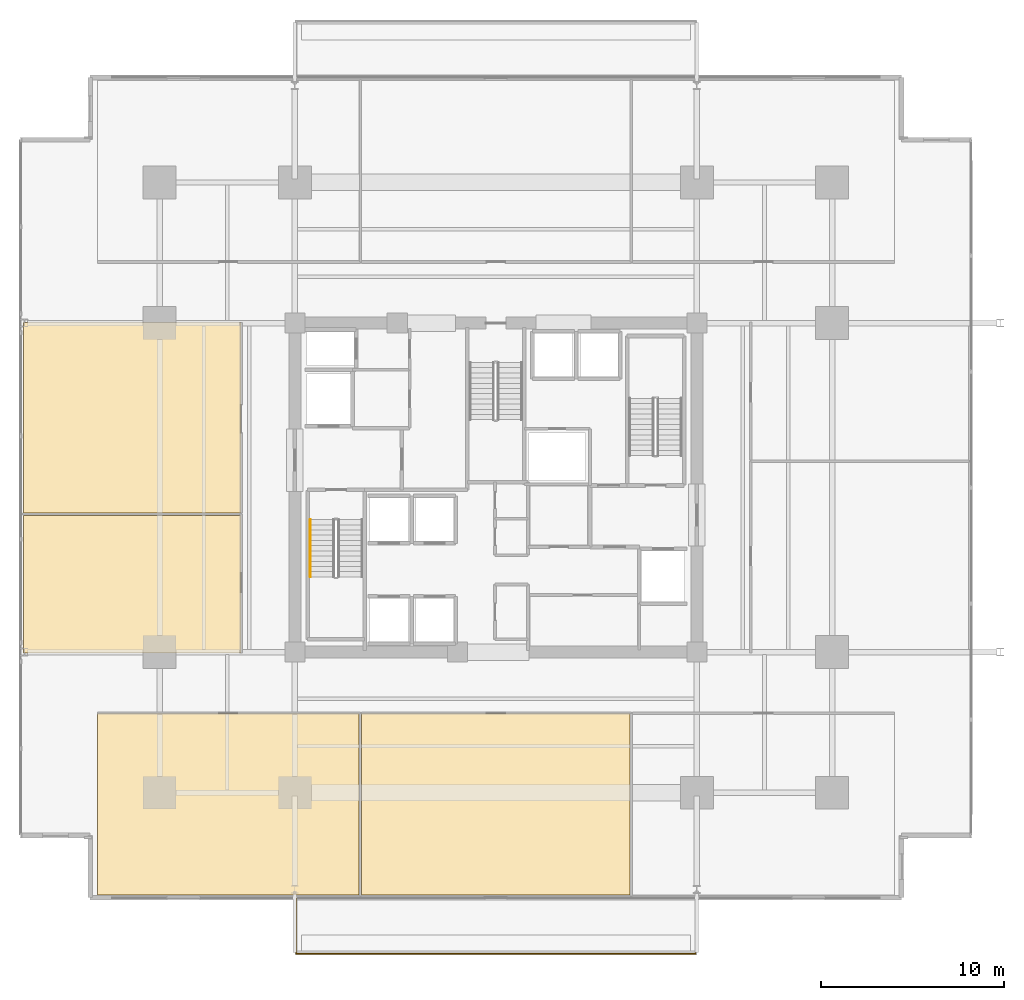
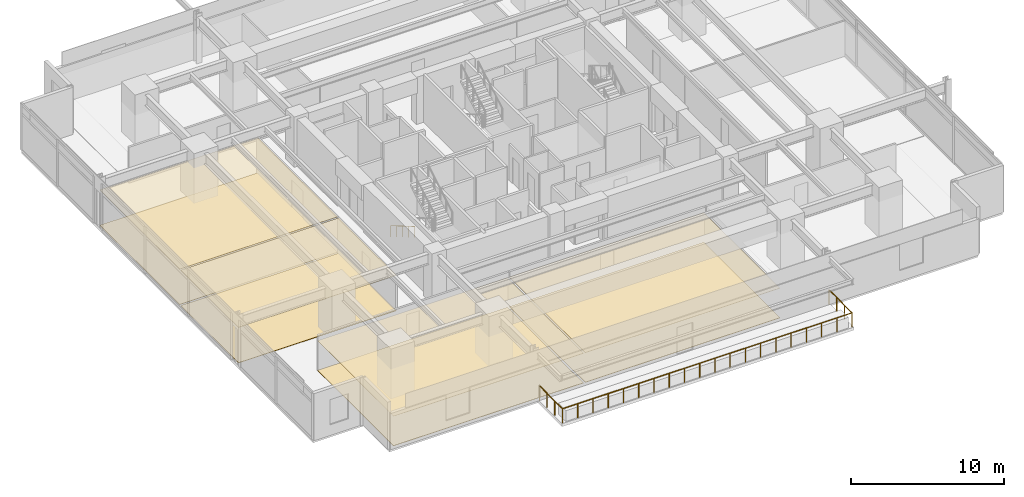
# One storey, part 21 of 25: 8 coverings, 2 railings.
"""IFC4 building model written with IfcOpenShell, lengths in metres."""

from ifc_helpers import new_model, si_unit, direction, frame, origin, origin_2d, place, context, subcontext, project, spatial, polyline, circle, outline, extrude, material, layer, layer_set, type_object, element, save


model = new_model("IFC4")

# Units and contexts
model_context = context("Model", 3, precision=1e-05, world=origin(), true_north=direction((0.0, 1.0)))
body_context = subcontext(model_context, "Body", "Model", "MODEL_VIEW")
ifc_project = project(units=[si_unit("LENGTHUNIT", "METRE"), si_unit("AREAUNIT", "SQUARE_METRE"), si_unit("VOLUMEUNIT", "CUBIC_METRE"), si_unit("PLANEANGLEUNIT", "RADIAN"), si_unit("MASSUNIT", "GRAM", prefix="KILO")], contexts=[model_context])

# Site, building, storey
site_placement = place(None, origin())
site = spatial("IfcSite", under=ifc_project, at=site_placement, CompositionType="ELEMENT")
building_placement = place(site_placement, origin())
building = spatial("IfcBuilding", under=site, at=building_placement, Name="Kovane Verandah Tower", CompositionType="ELEMENT")
storey_placement = place(building_placement, frame((0.0, 0.0, 67.60009765625)))
storey = spatial("IfcBuildingStorey", under=building, at=storey_placement, Name="L15", CompositionType="ELEMENT", Elevation=67.60009765625)

# Coverings
ifc_material_1 = material(Name="Perforated Acoustic Mineral-Fibre Ceiling Tile", Category="gypsum")
ifc_layer_1 = layer(ifc_material_1, 0.02490234375)
ifc_layer_set_1 = layer_set([ifc_layer_1], Name="Perforated Acoustic Mineral-Fibre Ceiling Tile")
covering_type_1 = type_object("IfcCoveringType", Name="CV-CEIL-25", PredefinedType="CEILING", material=ifc_layer_set_1)
covering_1_placement = place(storey_placement, frame((0.0, 0.0, 2.364990234375)))
element("IfcCovering", 1, at=covering_1_placement, inside=storey, type_object=covering_type_1, Name="L15 Collaboration Hub S1 Acoustic Ceiling", PredefinedType="CEILING", context=body_context, shape_type="SweptSolid", body=[
    extrude(outline(polyline([(18.198974609375, 5.209228515625), (32.517578125, 5.209228515625), (32.517578125, 15.14990234375), (18.198974609375, 15.14990234375), (18.198974609375, 5.209228515625)])), origin(), (0.0, 0.0, 1.0), 0.02490234375),
])
covering_2_placement = place(storey_placement, frame((0.0, 0.0, 2.364990234375)))
element("IfcCovering", 2, at=covering_2_placement, inside=storey, type_object=covering_type_1, Name="L15 Document and Print Room S2 Acoustic Ceiling", PredefinedType="CEILING", context=body_context, shape_type="SweptSolid", body=[
    extrude(outline(polyline([(32.65771484375, 5.209228515625), (47.34228515625, 5.209228515625), (47.34228515625, 15.14990234375), (32.65771484375, 15.14990234375), (32.65771484375, 5.209228515625)])), origin(), (0.0, 0.0, 1.0), 0.02490234375),
])
covering_3_placement = place(storey_placement, frame((0.0, 0.0, 2.824951171875)))
element("IfcCovering", 3, at=covering_3_placement, inside=storey, type_object=covering_type_1, Name="L15 Executive Office W1 Acoustic Ceiling", PredefinedType="CEILING", context=body_context, shape_type="SweptSolid", body=[
    extrude(outline(polyline([(14.14892578125, 18.449951171875), (26.050048828125, 18.449951171875), (26.050048828125, 25.98193359375), (14.14892578125, 25.98193359375), (14.14892578125, 18.449951171875)])), origin(), (0.0, 0.0, 1.0), 0.02490234375),
])
covering_4_placement = place(storey_placement, frame((0.0, 0.0, 2.824951171875)))
element("IfcCovering", 4, at=covering_4_placement, inside=storey, type_object=covering_type_1, Name="L15 Client Boardroom W2 Acoustic Ceiling", PredefinedType="CEILING", context=body_context, shape_type="SweptSolid", body=[
    extrude(outline(polyline([(14.14892578125, 26.1220703125), (26.050048828125, 26.1220703125), (26.050048828125, 36.550048828125), (14.14892578125, 36.550048828125), (14.14892578125, 26.1220703125)])), origin(), (0.0, 0.0, 1.0), 0.02490234375),
])
ifc_material_2 = material(Name="Polished Terrazzo and Raised-Access Carpet Tile Finish", Category="concrete")
ifc_layer_2 = layer(ifc_material_2, 0.030029296875)
ifc_layer_set_2 = layer_set([ifc_layer_2], Name="Polished Terrazzo and Raised-Access Carpet Tile Finish")
covering_type_2 = type_object("IfcCoveringType", Name="CV-FLOR-30", PredefinedType="FLOORING", material=ifc_layer_set_2)
covering_5_placement = place(storey_placement, origin())
element("IfcCovering", 5, at=covering_5_placement, inside=storey, type_object=covering_type_2, Name="L15 Collaboration Hub S1 Floor Finish", PredefinedType="FLOORING", context=body_context, shape_type="SweptSolid", body=[
    extrude(outline(polyline([(18.198974609375, 5.209228515625), (32.517578125, 5.209228515625), (32.517578125, 15.14990234375), (18.198974609375, 15.14990234375), (18.198974609375, 5.209228515625)])), origin(), (0.0, 0.0, 1.0), 0.02978515625),
])
covering_6_placement = place(storey_placement, origin())
element("IfcCovering", 6, at=covering_6_placement, inside=storey, type_object=covering_type_2, Name="L15 Document and Print Room S2 Floor Finish", PredefinedType="FLOORING", context=body_context, shape_type="SweptSolid", body=[
    extrude(outline(polyline([(32.65771484375, 5.209228515625), (47.34228515625, 5.209228515625), (47.34228515625, 15.14990234375), (32.65771484375, 15.14990234375), (32.65771484375, 5.209228515625)])), origin(), (0.0, 0.0, 1.0), 0.02978515625),
])
covering_7_placement = place(storey_placement, origin())
element("IfcCovering", 7, at=covering_7_placement, inside=storey, type_object=covering_type_2, Name="L15 Executive Office W1 Floor Finish", PredefinedType="FLOORING", context=body_context, shape_type="SweptSolid", body=[
    extrude(outline(polyline([(14.14892578125, 18.449951171875), (26.050048828125, 18.449951171875), (26.050048828125, 25.98193359375), (14.14892578125, 25.98193359375), (14.14892578125, 18.449951171875)])), origin(), (0.0, 0.0, 1.0), 0.02978515625),
])
covering_8_placement = place(storey_placement, origin())
element("IfcCovering", 8, at=covering_8_placement, inside=storey, type_object=covering_type_2, Name="L15 Client Boardroom W2 Floor Finish", PredefinedType="FLOORING", context=body_context, shape_type="SweptSolid", body=[
    extrude(outline(polyline([(14.14892578125, 26.1220703125), (26.050048828125, 26.1220703125), (26.050048828125, 36.550048828125), (14.14892578125, 36.550048828125), (14.14892578125, 26.1220703125)])), origin(), (0.0, 0.0, 1.0), 0.02978515625),
])

# Railings
ifc_material_3 = material(Name="Laminated Glass and Pale-Champagne Stainless Balustrade", Category="glass")
railing_type_1 = type_object("IfcRailingType", Name="RL-BAL-1150", PredefinedType="BALUSTRADE", material=ifc_material_3)
railing_1_placement = place(storey_placement, frame((29.080078125, 5.00927734375, 0.0)))
element("IfcRailing", 9, at=railing_1_placement, inside=storey, type_object=railing_type_1, Name="L15 S Verandah Glass Balustrade", PredefinedType="BALUSTRADE", context=body_context, shape_type="SweptSolid", body=[
    extrude(circle(Radius=0.02392578125, at=origin_2d()), frame((0.0, 0.0, 1.1259765625), z_axis=(0.0, -1.0, 0.0), x_axis=(1.0, 0.0, 0.0)), (0.0, 0.0, 1.0), 3.02001953125),
    extrude(circle(Radius=0.02392578125, at=origin_2d()), frame((0.0, -3.02001953125, 1.1259765625), z_axis=(1.0, 0.0, 0.0), x_axis=(0.0, 1.0, 0.0)), (0.0, 0.0, 1.0), 21.83984375),
    extrude(circle(Radius=0.02392578125, at=origin_2d()), frame((21.83984375, -3.02001953125, 1.1259765625), z_axis=(0.0, 1.0, 0.0), x_axis=(-1.0, 0.0, 0.0)), (0.0, 0.0, 1.0), 3.02001953125),
    extrude(circle(Radius=0.02099609375, at=origin_2d()), origin(), (0.0, 0.0, 1.0), 1.101806640625),
    extrude(circle(Radius=0.02099609375, at=origin_2d()), frame((0.0, -1.006591796875, 0.0)), (0.0, 0.0, 1.0), 1.101806640625),
    extrude(circle(Radius=0.02099609375, at=origin_2d()), frame((0.0, -2.013427734375, 0.0)), (0.0, 0.0, 1.0), 1.101806640625),
    extrude(circle(Radius=0.02099609375, at=origin_2d()), frame((0.0, -3.02001953125, 0.0)), (0.0, 0.0, 1.0), 1.101806640625),
    extrude(circle(Radius=0.02099609375, at=origin_2d()), frame((1.1494140625, -3.02001953125, 0.0)), (0.0, 0.0, 1.0), 1.101806640625),
    extrude(circle(Radius=0.02099609375, at=origin_2d()), frame((2.298828125, -3.02001953125, 0.0)), (0.0, 0.0, 1.0), 1.101806640625),
    extrude(circle(Radius=0.02099609375, at=origin_2d()), frame((3.448486328125, -3.02001953125, 0.0)), (0.0, 0.0, 1.0), 1.101806640625),
    extrude(circle(Radius=0.02099609375, at=origin_2d()), frame((4.597900390625, -3.02001953125, 0.0)), (0.0, 0.0, 1.0), 1.101806640625),
    extrude(circle(Radius=0.02099609375, at=origin_2d()), frame((5.747314453125, -3.02001953125, 0.0)), (0.0, 0.0, 1.0), 1.101806640625),
    extrude(circle(Radius=0.02099609375, at=origin_2d()), frame((6.896728515625, -3.02001953125, 0.0)), (0.0, 0.0, 1.0), 1.101806640625),
    extrude(circle(Radius=0.02099609375, at=origin_2d()), frame((8.046142578125, -3.02001953125, 0.0)), (0.0, 0.0, 1.0), 1.101806640625),
    extrude(circle(Radius=0.02099609375, at=origin_2d()), frame((9.19580078125, -3.02001953125, 0.0)), (0.0, 0.0, 1.0), 1.101806640625),
    extrude(circle(Radius=0.02099609375, at=origin_2d()), frame((10.34521484375, -3.02001953125, 0.0)), (0.0, 0.0, 1.0), 1.101806640625),
    extrude(circle(Radius=0.02099609375, at=origin_2d()), frame((11.49462890625, -3.02001953125, 0.0)), (0.0, 0.0, 1.0), 1.101806640625),
    extrude(circle(Radius=0.02099609375, at=origin_2d()), frame((12.64404296875, -3.02001953125, 0.0)), (0.0, 0.0, 1.0), 1.101806640625),
    extrude(circle(Radius=0.02099609375, at=origin_2d()), frame((13.793701171875, -3.02001953125, 0.0)), (0.0, 0.0, 1.0), 1.101806640625),
    extrude(circle(Radius=0.02099609375, at=origin_2d()), frame((14.943115234375, -3.02001953125, 0.0)), (0.0, 0.0, 1.0), 1.101806640625),
    extrude(circle(Radius=0.02099609375, at=origin_2d()), frame((16.092529296875, -3.02001953125, 0.0)), (0.0, 0.0, 1.0), 1.101806640625),
    extrude(circle(Radius=0.02099609375, at=origin_2d()), frame((17.241943359375, -3.02001953125, 0.0)), (0.0, 0.0, 1.0), 1.101806640625),
    extrude(circle(Radius=0.02099609375, at=origin_2d()), frame((18.391357421875, -3.02001953125, 0.0)), (0.0, 0.0, 1.0), 1.101806640625),
    extrude(circle(Radius=0.02099609375, at=origin_2d()), frame((19.541015625, -3.02001953125, 0.0)), (0.0, 0.0, 1.0), 1.101806640625),
    extrude(circle(Radius=0.02099609375, at=origin_2d()), frame((20.6904296875, -3.02001953125, 0.0)), (0.0, 0.0, 1.0), 1.101806640625),
    extrude(circle(Radius=0.02099609375, at=origin_2d()), frame((21.83984375, -3.02001953125, 0.0)), (0.0, 0.0, 1.0), 1.101806640625),
    extrude(circle(Radius=0.02099609375, at=origin_2d()), frame((21.83984375, -2.013427734375, 0.0)), (0.0, 0.0, 1.0), 1.101806640625),
    extrude(circle(Radius=0.02099609375, at=origin_2d()), frame((21.83984375, -1.006591796875, 0.0)), (0.0, 0.0, 1.0), 1.101806640625),
    extrude(circle(Radius=0.02099609375, at=origin_2d()), frame((21.83984375, 0.0, 0.0)), (0.0, 0.0, 1.0), 1.101806640625),
])
ifc_material_4 = material(Name="Brushed Stainless Steel Handrail", Category="steel")
railing_type_2 = type_object("IfcRailingType", Name="RL-HAND-920", PredefinedType="HANDRAIL", material=ifc_material_4)
railing_2_placement = place(storey_placement, frame((29.85009765625, 25.75, 0.16650390625)))
element("IfcRailing", 10, at=railing_2_placement, inside=storey, type_object=railing_type_2, Name="L15 ST-01 stair handrail 1", PredefinedType="HANDRAIL", context=body_context, shape_type="SweptSolid", body=[
    extrude(circle(Radius=0.02392578125, at=origin_2d()), frame((0.0, 0.0, 0.8759765625), z_axis=(0.0, -0.863210265497, 0.504844567704), x_axis=(1.0, 0.0, 0.0)), (0.0, 0.0, 1.0), 3.6318359375),
    extrude(circle(Radius=0.02099609375, at=origin_2d()), origin(), (0.0, 0.0, 1.0), 0.851806640625),
    extrude(circle(Radius=0.02099609375, at=origin_2d()), frame((0.0, -0.78369140625, 0.45849609375)), (0.0, 0.0, 1.0), 0.851806640625),
    extrude(circle(Radius=0.02099609375, at=origin_2d()), frame((0.0, -1.5673828125, 0.916748046875)), (0.0, 0.0, 1.0), 0.851806640625),
    extrude(circle(Radius=0.02099609375, at=origin_2d()), frame((0.0, -2.351318359375, 1.375)), (0.0, 0.0, 1.0), 0.851806640625),
    extrude(circle(Radius=0.02099609375, at=origin_2d()), frame((0.0, -3.135009765625, 1.83349609375)), (0.0, 0.0, 1.0), 0.851806640625),
])

save(model, "model.ifc")
